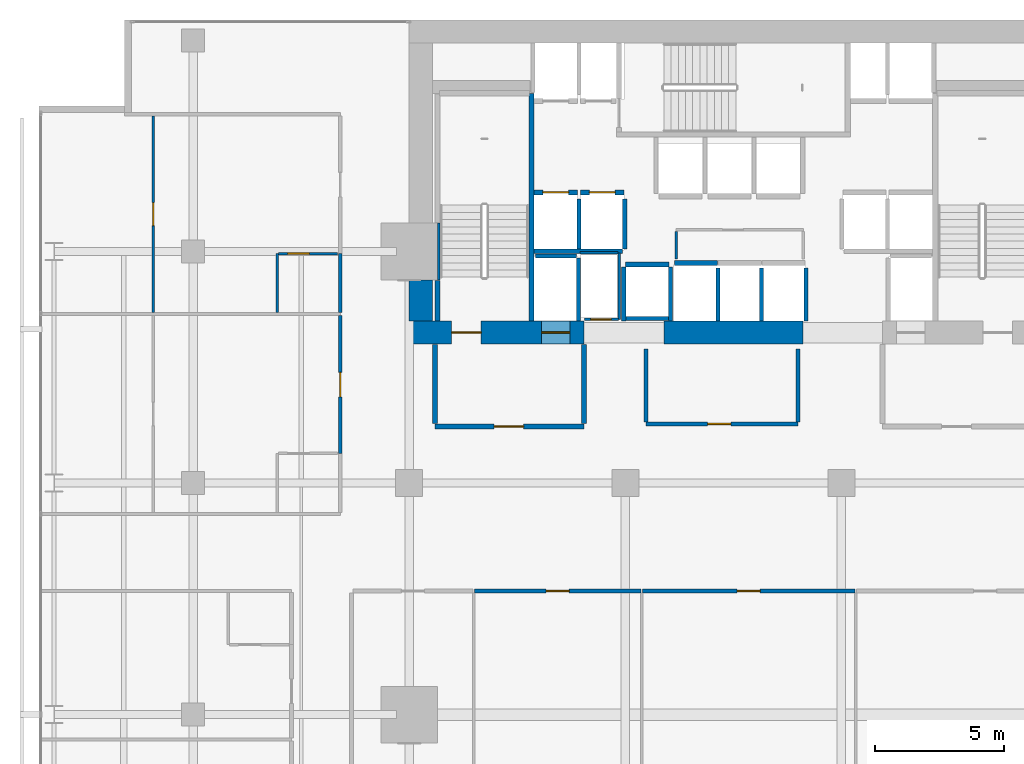
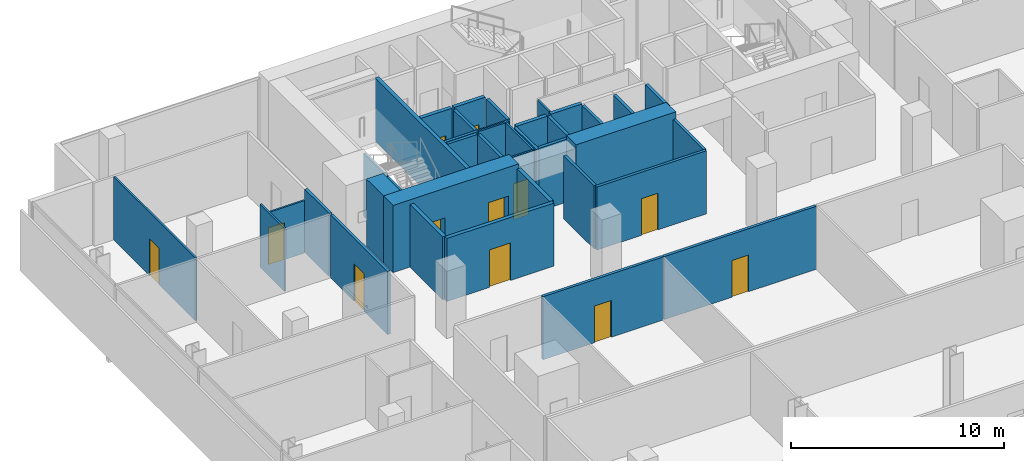
# One storey, part 35 of 40: 38 walls, 12 doors, 12 openings.
"""IFC4 building model written with IfcOpenShell, lengths in metres."""

from ifc_helpers import new_model, si_unit, direction, frame, frame_2d, origin, place, context, subcontext, project, spatial, rectangle, extrude, material, layer, layer_set, type_object, element, fill, save


model = new_model("IFC4")

# Units and contexts
model_context = context("Model", 3, precision=1e-05, world=origin(), true_north=direction((0.0, 1.0)))
body_context = subcontext(model_context, "Body", "Model", "MODEL_VIEW")
ifc_project = project(units=[si_unit("LENGTHUNIT", "METRE"), si_unit("AREAUNIT", "SQUARE_METRE"), si_unit("VOLUMEUNIT", "CUBIC_METRE"), si_unit("PLANEANGLEUNIT", "RADIAN"), si_unit("MASSUNIT", "GRAM", prefix="KILO")], contexts=[model_context])

# Site, building, storey
site_placement = place(None, origin())
site = spatial("IfcSite", under=ifc_project, at=site_placement, CompositionType="ELEMENT")
building_placement = place(site_placement, origin())
building = spatial("IfcBuilding", under=site, at=building_placement, Name="Maruvema Waterfront Hotel and Observation Tower", CompositionType="ELEMENT")
storey_placement = place(building_placement, frame((0.0, 0.0, 88.550048828125)))
storey = spatial("IfcBuildingStorey", under=building, at=storey_placement, Name="L21", CompositionType="ELEMENT", Elevation=88.550048828125)

# Wall, opening, door
ifc_material_1 = material(Name="Twin-stud acoustic gypsum drywall", Category="gypsum")
ifc_layer_1 = layer(ifc_material_1, 0.14990234375, Name="Acoustic Corridor and Suite Demising Wall 150 mm")
ifc_layer_set_1 = layer_set([ifc_layer_1], Name="Twin-stud acoustic gypsum drywall")
wall_type_1 = type_object("IfcWallType", Name="Acoustic Corridor and Suite Demising Wall 150 mm", PredefinedType="PARTITIONING", material=ifc_layer_set_1)
wall_1_placement = place(storey_placement, frame((34.39990234375, 38.300048828125, 0.0), z_axis=(0.0, 0.0, 1.0), x_axis=(1.0, 0.0, 0.0)))
wall_1 = element("IfcWall", 1, at=wall_1_placement, inside=storey, type_object=wall_type_1, Name="L21 Core Apron K0 South 013", PredefinedType="PARTITIONING", context=body_context, shape_type="SweptSolid", body=[
    extrude(rectangle(XDim=5.920166015625, YDim=0.14990234375, at=frame_2d((2.9599609375, 0.0))), origin(), (0.0, 0.0, 1.0), 3.60986328125),
])
opening_1_placement = place(wall_1_placement, frame((2.39990234375, 0.0, 0.0)))
opening_1 = element("IfcOpeningElement", 2, at=opening_1_placement, cuts=wall_1, Name="Opening DR-090", PredefinedType="OPENING", context=body_context, shape_type="SweptSolid", body=[
    extrude(rectangle(XDim=0.89990234375, YDim=2.10009765625, at=frame_2d((0.449951171875, 1.050048828125))), frame((0.0, 0.0849609375, 0.0), z_axis=(0.0, -1.0, 0.0), x_axis=(1.0, 0.0, 0.0)), (0.0, 0.0, 1.0), 0.169921875),
])
ifc_material_2 = material(Name="Solid-core lacquered timber leaf", Category="wood")
door_type_1 = type_object("IfcDoorType", Name="Accessible Toilet and Room Door 900x2100 mm", OperationType="NOTDEFINED", PredefinedType="DOOR", material=ifc_material_2)
door_1_placement = place(opening_1_placement, frame((0.89990234375, 0.0, 0.0), z_axis=(0.0, 0.0, 1.0), x_axis=(-1.0, 0.0, 0.0)))
door_1 = element("IfcDoor", 3, at=door_1_placement, inside=storey, type_object=door_type_1, Name="L21 Core Valet Room Door", OperationType="SINGLE_SWING_RIGHT", OverallHeight=2.10009765625, OverallWidth=0.89990234375, PredefinedType="DOOR", context=body_context, shape_type="SweptSolid", body=[
    extrude(rectangle(XDim=0.89990234375, YDim=2.10009765625, at=frame_2d((0.449951171875, 1.050048828125))), frame((0.0, 0.02490234375, 0.0), z_axis=(0.0, -1.0, 0.0), x_axis=(1.0, 0.0, 0.0)), (0.0, 0.0, 1.0), 0.050048828125),
])
fill(opening_1, door_1)

# Walls
for number, where, z_axis, x_axis, name in (
    (4, (34.39990234375, 38.3798828125, 0.0), (0.0, 0.0, 1.0), (0.0, 1.0, 0.0), "L21 Core Apron K0 West 014"),
    (5, (40.320068359375, 38.3798828125, 0.0), (0.0, 0.0, 1.0), (0.0, 1.0, 0.0), "L21 Core Apron K0 East 015"),
):
    element("IfcWall", number, at=place(storey_placement, frame(where, z_axis=z_axis, x_axis=x_axis)), inside=storey, type_object=wall_type_1, Name=name, PredefinedType="PARTITIONING", context=body_context, shape_type="SweptSolid", body=[
        extrude(rectangle(XDim=2.840087890625, YDim=0.14990234375, at=frame_2d((1.419921875, 0.0))), origin(), (0.0, 0.0, 1.0), 3.60986328125),
    ])

# Wall, opening, door
wall_2_placement = place(storey_placement, frame((27.73193359375, 31.800048828125, 0.0), z_axis=(0.0, 0.0, 1.0), x_axis=(1.0, 0.0, 0.0)))
wall_2 = element("IfcWall", 6, at=wall_2_placement, inside=storey, type_object=wall_type_1, Name="L21 L21-INTN Front 2 021", PredefinedType="PARTITIONING", context=body_context, shape_type="SweptSolid", body=[
    extrude(rectangle(XDim=6.47412109375, YDim=0.14990234375, at=frame_2d((3.237060546875, 0.0))), origin(), (0.0, 0.0, 1.0), 3.60986328125),
])
opening_2_placement = place(wall_2_placement, frame((2.787109375, 0.0, 0.0)))
opening_2 = element("IfcOpeningElement", 7, at=opening_2_placement, cuts=wall_2, Name="Opening DR-090", PredefinedType="OPENING", context=body_context, shape_type="SweptSolid", body=[
    extrude(rectangle(XDim=0.89990234375, YDim=2.10009765625, at=frame_2d((0.449951171875, 1.050048828125))), frame((0.0, 0.0849609375, 0.0), z_axis=(0.0, -1.0, 0.0), x_axis=(1.0, 0.0, 0.0)), (0.0, 0.0, 1.0), 0.169921875),
])
door_2_placement = place(opening_2_placement, origin())
door_2 = element("IfcDoor", 8, at=door_2_placement, inside=storey, type_object=door_type_1, Name="L21 Art Gallery Lounge 2 Door", OperationType="SINGLE_SWING_RIGHT", OverallHeight=2.10009765625, OverallWidth=0.89990234375, PredefinedType="DOOR", context=body_context, shape_type="SweptSolid", body=[
    extrude(rectangle(XDim=0.89990234375, YDim=2.10009765625, at=frame_2d((0.449951171875, 1.050048828125))), frame((0.0, 0.02490234375, 0.0), z_axis=(0.0, -1.0, 0.0), x_axis=(1.0, 0.0, 0.0)), (0.0, 0.0, 1.0), 0.050048828125),
])
fill(opening_2, door_2)

wall_3_placement = place(storey_placement, frame((34.26611328125, 31.800048828125, 0.0), z_axis=(0.0, 0.0, 1.0), x_axis=(1.0, 0.0, 0.0)))
wall_3 = element("IfcWall", 9, at=wall_3_placement, inside=storey, type_object=wall_type_1, Name="L21 L21-INTN Front 3 023", PredefinedType="PARTITIONING", context=body_context, shape_type="SweptSolid", body=[
    extrude(rectangle(XDim=8.255859375, YDim=0.14990234375, at=frame_2d((4.1279296875, 0.0))), origin(), (0.0, 0.0, 1.0), 3.60986328125),
])
opening_3_placement = place(wall_3_placement, frame((3.677978515625, 0.0, 0.0)))
opening_3 = element("IfcOpeningElement", 10, at=opening_3_placement, cuts=wall_3, Name="Opening DR-090", PredefinedType="OPENING", context=body_context, shape_type="SweptSolid", body=[
    extrude(rectangle(XDim=0.89990234375, YDim=2.10009765625, at=frame_2d((0.449951171875, 1.050048828125))), frame((0.0, 0.0849609375, 0.0), z_axis=(0.0, -1.0, 0.0), x_axis=(1.0, 0.0, 0.0)), (0.0, 0.0, 1.0), 0.169921875),
])
door_3_placement = place(opening_3_placement, origin())
door_3 = element("IfcDoor", 11, at=door_3_placement, inside=storey, type_object=door_type_1, Name="L21 Art Gallery Lounge 3 Door", OperationType="SINGLE_SWING_LEFT", OverallHeight=2.10009765625, OverallWidth=0.89990234375, PredefinedType="DOOR", context=body_context, shape_type="SweptSolid", body=[
    extrude(rectangle(XDim=0.89990234375, YDim=2.10009765625, at=frame_2d((0.449951171875, 1.050048828125))), frame((0.0, 0.02490234375, 0.0), z_axis=(0.0, -1.0, 0.0), x_axis=(1.0, 0.0, 0.0)), (0.0, 0.0, 1.0), 0.050048828125),
])
fill(opening_3, door_3)

wall_4_placement = place(storey_placement, frame((22.52001953125, 37.14990234375, 0.0), z_axis=(0.0, 0.0, 1.0), x_axis=(0.0, 1.0, 0.0)))
wall_4 = element("IfcWall", 12, at=wall_4_placement, inside=storey, type_object=wall_type_1, Name="L21 Room L21-NW1 Corridor Wall 098", PredefinedType="PARTITIONING", context=body_context, shape_type="SweptSolid", body=[
    extrude(rectangle(XDim=5.35888671875, YDim=0.14990234375, at=frame_2d((2.679443359375, 0.0))), origin(), (0.0, 0.0, 1.0), 3.60986328125),
])
opening_4_placement = place(wall_4_placement, frame((2.204345703125, 0.0, 0.0)))
opening_4 = element("IfcOpeningElement", 13, at=opening_4_placement, cuts=wall_4, Name="Opening DR-095", PredefinedType="OPENING", context=body_context, shape_type="SweptSolid", body=[
    extrude(rectangle(XDim=0.949951171875, YDim=2.14990234375, at=frame_2d((0.47509765625, 1.074951171875))), frame((0.0, 0.0849609375, 0.0), z_axis=(0.0, -1.0, 0.0), x_axis=(1.0, 0.0, 0.0)), (0.0, 0.0, 1.0), 0.169921875),
])
ifc_material_3 = material(Name="Acoustic solid-core hardwood timber leaf", Category="wood")
door_type_2 = type_object("IfcDoorType", Name="Guestroom Entrance Fire Door 950x2150 mm", OperationType="NOTDEFINED", PredefinedType="DOOR", material=ifc_material_3)
door_4_placement = place(opening_4_placement, origin())
door_4 = element("IfcDoor", 14, at=door_4_placement, inside=storey, type_object=door_type_2, Name="L21 Room L21-NW1 Entrance Door", OperationType="SINGLE_SWING_RIGHT", OverallHeight=2.14990234375, OverallWidth=0.949951171875, PredefinedType="DOOR", context=body_context, shape_type="SweptSolid", body=[
    extrude(rectangle(XDim=0.949951171875, YDim=2.14990234375, at=frame_2d((0.47509765625, 1.074951171875))), frame((0.0, 0.02490234375, 0.0), z_axis=(0.0, -1.0, 0.0), x_axis=(1.0, 0.0, 0.0)), (0.0, 0.0, 1.0), 0.050048828125),
])
fill(opening_4, door_4)

# Walls
wall_5_placement = place(storey_placement, frame((22.52001953125, 42.628662109375, 0.0), z_axis=(0.0, 0.0, 1.0), x_axis=(0.0, 1.0, 0.0)))
element("IfcWall", 15, at=wall_5_placement, inside=storey, type_object=wall_type_1, Name="L21 Bath L21-NW2 Wall 109", PredefinedType="PARTITIONING", context=body_context, shape_type="SweptSolid", body=[
    extrude(rectangle(XDim=2.2900390625, YDim=0.14990234375, at=frame_2d((1.14501953125, 0.0))), origin(), (0.0, 0.0, 1.0), 3.60986328125),
])
ifc_material_4 = material(Name="Precast concrete C45/55", Category="concrete")
ifc_layer_2 = layer(ifc_material_4, 0.199951171875, Name="Core Shaft and Stairwell Enclosure Wall 200 mm")
ifc_layer_set_2 = layer_set([ifc_layer_2], Name="Precast concrete C45/55")
wall_type_2 = type_object("IfcWallType", Name="Core Shaft and Stairwell Enclosure Wall 200 mm", PredefinedType="SOLIDWALL", material=ifc_layer_set_2)
wall_6_placement = place(storey_placement, frame((29.949951171875, 42.300048828125, 0.0), z_axis=(0.0, 0.0, 1.0), x_axis=(0.0, 1.0, 0.0)))
element("IfcWall", 16, at=wall_6_placement, inside=storey, type_object=wall_type_2, Name="L21 Stairwell ST-01 East Shaft Wall", PredefinedType="SOLIDWALL", context=body_context, shape_type="SweptSolid", body=[
    extrude(rectangle(XDim=8.849853515625, YDim=0.199951171875, at=frame_2d((4.4248046875, 0.0))), origin(), (0.0, 0.0, 1.0), 3.60986328125),
])
wall_7_placement = place(storey_placement, frame((26.300048828125, 42.300048828125, 0.0), z_axis=(0.0, 0.0, 1.0), x_axis=(0.0, 1.0, 0.0)))
element("IfcWall", 17, at=wall_7_placement, inside=storey, type_object=wall_type_2, Name="L21 Stairwell ST-01 Shaft Lining Wall", PredefinedType="SOLIDWALL", context=body_context, shape_type="SweptSolid", body=[
    extrude(rectangle(XDim=1.579833984375, YDim=0.199951171875, at=frame_2d((0.7900390625, 0.0))), origin(), (0.0, 0.0, 1.0), 3.60986328125),
])

# Wall, opening, door
wall_8_placement = place(storey_placement, frame((30.06005859375, 47.300048828125, 0.0), z_axis=(0.0, 0.0, 1.0), x_axis=(1.0, 0.0, 0.0)))
wall_8 = element("IfcWall", 18, at=wall_8_placement, inside=storey, type_object=wall_type_2, Name="L21 Lift LF-01 Hoistway Front Wall", PredefinedType="SOLIDWALL", context=body_context, shape_type="SweptSolid", body=[
    extrude(rectangle(XDim=1.679931640625, YDim=0.199951171875, at=frame_2d((0.83984375, 0.0))), origin(), (0.0, 0.0, 1.0), 3.60986328125),
])
opening_5_placement = place(wall_8_placement, frame((0.340087890625, 0.0, 0.0)))
opening_5 = element("IfcOpeningElement", 19, at=opening_5_placement, cuts=wall_8, Name="Opening LD-01", PredefinedType="OPENING", context=body_context, shape_type="SweptSolid", body=[
    extrude(rectangle(XDim=1.0, YDim=2.14990234375, at=frame_2d((0.5, 1.074951171875))), frame((0.0, 0.10986328125, 0.0), z_axis=(0.0, -1.0, 0.0), x_axis=(1.0, 0.0, 0.0)), (0.0, 0.0, 1.0), 0.219970703125),
])
ifc_material_5 = material(Name="Brushed stainless steel Grade 316", Category="steel")
door_type_3 = type_object("IfcDoorType", Name="Passenger Lift Sliding Landing Door 1000x2150 mm", OperationType="SLIDING_TO_LEFT", PredefinedType="DOOR", material=ifc_material_5)
door_5_placement = place(opening_5_placement, origin())
door_5 = element("IfcDoor", 20, at=door_5_placement, inside=storey, type_object=door_type_3, Name="L21 Lift LF-01 Sliding Landing Door", OperationType="SLIDING_TO_LEFT", OverallHeight=2.14990234375, OverallWidth=1.0, PredefinedType="DOOR", context=body_context, shape_type="SweptSolid", body=[
    extrude(rectangle(XDim=1.0, YDim=2.14990234375, at=frame_2d((0.5, 1.074951171875))), frame((0.0, 0.02490234375, 0.0), z_axis=(0.0, -1.0, 0.0), x_axis=(1.0, 0.0, 0.0)), (0.0, 0.0, 1.0), 0.050048828125),
])
fill(opening_5, door_5)

wall_9_placement = place(storey_placement, frame((31.860107421875, 47.300048828125, 0.0), z_axis=(0.0, 0.0, 1.0), x_axis=(1.0, 0.0, 0.0)))
wall_9 = element("IfcWall", 21, at=wall_9_placement, inside=storey, type_object=wall_type_2, Name="L21 Lift LF-02 Hoistway Front Wall", PredefinedType="SOLIDWALL", context=body_context, shape_type="SweptSolid", body=[
    extrude(rectangle(XDim=1.679931640625, YDim=0.199951171875, at=frame_2d((0.83984375, 0.0))), origin(), (0.0, 0.0, 1.0), 3.60986328125),
])
opening_6_placement = place(wall_9_placement, frame((0.340087890625, 0.0, 0.0)))
opening_6 = element("IfcOpeningElement", 22, at=opening_6_placement, cuts=wall_9, Name="Opening LD-01", PredefinedType="OPENING", context=body_context, shape_type="SweptSolid", body=[
    extrude(rectangle(XDim=1.0, YDim=2.14990234375, at=frame_2d((0.5, 1.074951171875))), frame((0.0, 0.10986328125, 0.0), z_axis=(0.0, -1.0, 0.0), x_axis=(1.0, 0.0, 0.0)), (0.0, 0.0, 1.0), 0.219970703125),
])
door_6_placement = place(opening_6_placement, origin())
door_6 = element("IfcDoor", 23, at=door_6_placement, inside=storey, type_object=door_type_3, Name="L21 Lift LF-02 Sliding Landing Door", OperationType="SLIDING_TO_LEFT", OverallHeight=2.14990234375, OverallWidth=1.0, PredefinedType="DOOR", context=body_context, shape_type="SweptSolid", body=[
    extrude(rectangle(XDim=1.0, YDim=2.14990234375, at=frame_2d((0.5, 1.074951171875))), frame((0.0, 0.02490234375, 0.0), z_axis=(0.0, -1.0, 0.0), x_axis=(1.0, 0.0, 0.0)), (0.0, 0.0, 1.0), 0.050048828125),
])
fill(opening_6, door_6)

# Walls
for number, where, z_axis, x_axis, name in (
    (24, (35.510009765625, 44.550048828125, 0.0), (0.0, 0.0, 1.0), (1.0, 0.0, 0.0), "L21 Lift LF-09 Hoistway Front Wall"),
    (25, (33.610107421875, 44.5, 0.0), (0.0, 0.0, 1.0), (1.0, 0.0, 0.0), "L21 Lift LF-15 Hoistway Front Wall"),
):
    element("IfcWall", number, at=place(storey_placement, frame(where, z_axis=z_axis, x_axis=x_axis)), inside=storey, type_object=wall_type_2, Name=name, PredefinedType="SOLIDWALL", context=body_context, shape_type="SweptSolid", body=[
        extrude(rectangle(XDim=1.679931640625, YDim=0.199951171875, at=frame_2d((0.83984375, 0.0))), origin(), (0.0, 0.0, 1.0), 3.60986328125),
    ])

# Wall, openings, doors
ifc_material_6 = material(Name="Concrete C80/95", Category="concrete")
ifc_layer_3 = layer(ifc_material_6, 0.89990234375, Name="Core Shear Wall 900 mm")
ifc_layer_set_3 = layer_set([ifc_layer_3], Name="Concrete C80/95")
wall_type_3 = type_object("IfcWallType", Name="Core Shear Wall 900 mm", PredefinedType="SHEAR", material=ifc_layer_set_3)
wall_10_placement = place(storey_placement, frame((25.199951171875, 41.85009765625, 0.0), z_axis=(0.0, 0.0, 1.0), x_axis=(1.0, 0.0, 0.0)))
wall_10 = element("IfcWall", 26, at=wall_10_placement, inside=storey, type_object=wall_type_3, Name="L21 South-West Core Shear Wall", PredefinedType="SHEAR", context=body_context, shape_type="SweptSolid", body=[
    extrude(rectangle(XDim=6.800048828125, YDim=0.89990234375, at=frame_2d((3.39990234375, 0.0))), origin(), (0.0, 0.0, 1.0), 3.849853515625),
])
opening_7_placement = place(wall_10_placement, frame((1.64990234375, 0.0, 0.0)))
opening_7 = element("IfcOpeningElement", 27, at=opening_7_placement, cuts=wall_10, Name="Opening SD-01", PredefinedType="OPENING", context=body_context, shape_type="SweptSolid", body=[
    extrude(rectangle(XDim=1.14990234375, YDim=2.14990234375, at=frame_2d((0.574951171875, 1.074951171875))), frame((0.0, 0.4599609375, 0.0), z_axis=(0.0, -1.0, 0.0), x_axis=(1.0, 0.0, 0.0)), (0.0, 0.0, 1.0), 0.919921875),
])
opening_8_placement = place(wall_10_placement, frame((5.14990234375, 0.0, 0.0)))
opening_8 = element("IfcOpeningElement", 28, at=opening_8_placement, cuts=wall_10, Name="Opening LD-03", PredefinedType="OPENING", context=body_context, shape_type="SweptSolid", body=[
    extrude(rectangle(XDim=1.10009765625, YDim=2.199951171875, at=frame_2d((0.550048828125, 1.10009765625))), frame((0.0, 0.4599609375, 0.0), z_axis=(0.0, -1.0, 0.0), x_axis=(1.0, 0.0, 0.0)), (0.0, 0.0, 1.0), 0.919921875),
])
ifc_material_7 = material(Name="Fire-rated galvanised steel leaf", Category="steel")
door_type_4 = type_object("IfcDoorType", Name="Exit Stair Fire Door 1150x2150 mm", OperationType="NOTDEFINED", PredefinedType="DOOR", material=ifc_material_7)
door_7_placement = place(opening_7_placement, origin())
door_7 = element("IfcDoor", 29, at=door_7_placement, inside=storey, type_object=door_type_4, Name="L21 Exit Stair ST-01 Fire Door", OperationType="SINGLE_SWING_LEFT", OverallHeight=2.14990234375, OverallWidth=1.14990234375, PredefinedType="DOOR", context=body_context, shape_type="SweptSolid", body=[
    extrude(rectangle(XDim=1.14990234375, YDim=2.14990234375, at=frame_2d((0.574951171875, 1.074951171875))), frame((0.0, 0.02490234375, 0.0), z_axis=(0.0, -1.0, 0.0), x_axis=(1.0, 0.0, 0.0)), (0.0, 0.0, 1.0), 0.050048828125),
])
fill(opening_7, door_7)
ifc_material_8 = material(Name="Brushed stainless steel Grade 316", Category="steel")
door_type_5 = type_object("IfcDoorType", Name="Firefighting Lift Sliding Landing Door 1100x2200 mm", OperationType="SLIDING_TO_LEFT", PredefinedType="DOOR", material=ifc_material_8)
door_8_placement = place(opening_8_placement, frame((1.10009765625, 0.0, 0.0), z_axis=(0.0, 0.0, 1.0), x_axis=(-1.0, 0.0, 0.0)))
door_8 = element("IfcDoor", 30, at=door_8_placement, inside=storey, type_object=door_type_5, Name="L21 Firefighting Lift FL-01 Landing Door", OperationType="SLIDING_TO_LEFT", OverallHeight=2.199951171875, OverallWidth=1.10009765625, PredefinedType="DOOR", context=body_context, shape_type="SweptSolid", body=[
    extrude(rectangle(XDim=1.10009765625, YDim=2.199951171875, at=frame_2d((0.550048828125, 1.10009765625))), frame((0.0, 0.02490234375, 0.0), z_axis=(0.0, -1.0, 0.0), x_axis=(1.0, 0.0, 0.0)), (0.0, 0.0, 1.0), 0.050048828125),
])
fill(opening_8, door_8)

# Walls
wall_11_placement = place(storey_placement, frame((35.10009765625, 41.85009765625, 0.0), z_axis=(0.0, 0.0, 1.0), x_axis=(1.0, 0.0, 0.0)))
element("IfcWall", 31, at=wall_11_placement, inside=storey, type_object=wall_type_3, Name="L21 South-Central Core Shear Wall", PredefinedType="SHEAR", context=body_context, shape_type="SweptSolid", body=[
    extrude(rectangle(XDim=5.39990234375, YDim=0.89990234375, at=frame_2d((2.699951171875, 0.0))), origin(), (0.0, 0.0, 1.0), 3.849853515625),
])
wall_12_placement = place(storey_placement, frame((25.64990234375, 42.300048828125, 0.0), z_axis=(0.0, 0.0, 1.0), x_axis=(0.0, 1.0, 0.0)))
element("IfcWall", 32, at=wall_12_placement, inside=storey, type_object=wall_type_3, Name="L21 West-South Core Shear Wall", PredefinedType="SHEAR", context=body_context, shape_type="SweptSolid", body=[
    extrude(rectangle(XDim=1.599853515625, YDim=0.89990234375, at=frame_2d((0.7998046875, 0.0))), origin(), (0.0, 0.0, 1.0), 3.849853515625),
])

# Wall, opening, door
ifc_material_9 = material(Name="Moisture-resistant cement-board drywall", Category="gypsum")
ifc_layer_4 = layer(ifc_material_9, 0.10009765625, Name="En-Suite Moisture-Resistant Partition 100 mm")
ifc_layer_set_4 = layer_set([ifc_layer_4], Name="Moisture-resistant cement-board drywall")
wall_type_4 = type_object("IfcWallType", Name="En-Suite Moisture-Resistant Partition 100 mm", PredefinedType="PARTITIONING", material=ifc_layer_set_4)
wall_13_placement = place(storey_placement, frame((32.02001953125, 42.360107421875, 0.0), z_axis=(0.0, 0.0, 1.0), x_axis=(1.0, 0.0, 0.0)))
wall_13 = element("IfcWall", 33, at=wall_13_placement, inside=storey, type_object=wall_type_4, Name="L21 Telecom Riser South Wall 007", PredefinedType="PARTITIONING", context=body_context, shape_type="SweptSolid", body=[
    extrude(rectangle(XDim=1.320068359375, YDim=0.10009765625, at=frame_2d((0.66015625, 0.0))), origin(), (0.0, 0.0, 1.0), 3.60986328125),
])
opening_9_placement = place(wall_13_placement, frame((0.239990234375, 0.0, 0.0)))
opening_9 = element("IfcOpeningElement", 34, at=opening_9_placement, cuts=wall_13, Name="Opening DR-080", PredefinedType="OPENING", context=body_context, shape_type="SweptSolid", body=[
    extrude(rectangle(XDim=0.800048828125, YDim=2.050048828125, at=frame_2d((0.39990234375, 1.02490234375))), frame((0.0, 0.06005859375, 0.0), z_axis=(0.0, -1.0, 0.0), x_axis=(1.0, 0.0, 0.0)), (0.0, 0.0, 1.0), 0.1201171875),
])
ifc_material_10 = material(Name="Powder-coated steel access leaf", Category="steel")
door_type_6 = type_object("IfcDoorType", Name="Riser and Service Cupboard Door 800x2050 mm", OperationType="NOTDEFINED", PredefinedType="DOOR", material=ifc_material_10)
door_9_placement = place(opening_9_placement, frame((0.800048828125, 0.0, 0.0), z_axis=(0.0, 0.0, 1.0), x_axis=(-1.0, 0.0, 0.0)))
door_9 = element("IfcDoor", 35, at=door_9_placement, inside=storey, type_object=door_type_6, Name="L21 Telecom Riser Door", OperationType="SINGLE_SWING_RIGHT", OverallHeight=2.050048828125, OverallWidth=0.800048828125, PredefinedType="DOOR", context=body_context, shape_type="SweptSolid", body=[
    extrude(rectangle(XDim=0.800048828125, YDim=2.050048828125, at=frame_2d((0.39990234375, 1.02490234375))), frame((0.0, 0.02490234375, 0.0), z_axis=(0.0, -1.0, 0.0), x_axis=(1.0, 0.0, 0.0)), (0.0, 0.0, 1.0), 0.050048828125),
])
fill(opening_9, door_9)

# Walls
wall_14_placement = place(storey_placement, frame((31.840087890625, 44.9599609375, 0.0), z_axis=(0.0, 0.0, 1.0), x_axis=(1.0, 0.0, 0.0)))
element("IfcWall", 36, at=wall_14_placement, inside=storey, type_object=wall_type_4, Name="L21 Telecom Riser North Wall 008", PredefinedType="PARTITIONING", context=body_context, shape_type="SweptSolid", body=[
    extrude(rectangle(XDim=1.47998046875, YDim=0.10009765625, at=frame_2d((0.739990234375, 0.0))), origin(), (0.0, 0.0, 1.0), 3.60986328125),
])
wall_15_placement = place(storey_placement, frame((33.360107421875, 42.360107421875, 0.0), z_axis=(0.0, 0.0, 1.0), x_axis=(0.0, 1.0, 0.0)))
element("IfcWall", 37, at=wall_15_placement, inside=storey, type_object=wall_type_4, Name="L21 Telecom Riser East Wall 009", PredefinedType="PARTITIONING", context=body_context, shape_type="SweptSolid", body=[
    extrude(rectangle(XDim=2.579833984375, YDim=0.10009765625, at=frame_2d((1.2900390625, 0.0))), origin(), (0.0, 0.0, 1.0), 3.60986328125),
])
wall_16_placement = place(storey_placement, frame((35.580078125, 44.699951171875, 0.0), z_axis=(0.0, 0.0, 1.0), x_axis=(0.0, 1.0, 0.0)))
element("IfcWall", 38, at=wall_16_placement, inside=storey, type_object=wall_type_4, Name="L21 Core Closet K0 West 011", PredefinedType="PARTITIONING", context=body_context, shape_type="SweptSolid", body=[
    extrude(rectangle(XDim=1.080078125, YDim=0.10009765625, at=frame_2d((0.5400390625, 0.0))), origin(), (0.0, 0.0, 1.0), 3.60986328125),
])
wall_17_placement = place(storey_placement, frame((20.070068359375, 42.628662109375, 0.0), z_axis=(0.0, 0.0, 1.0), x_axis=(0.0, 1.0, 0.0)))
element("IfcWall", 39, at=wall_17_placement, inside=storey, type_object=wall_type_4, Name="L21 En-Suite L21-NW2 W 111", PredefinedType="PARTITIONING", context=body_context, shape_type="SweptSolid", body=[
    extrude(rectangle(XDim=2.2900390625, YDim=0.10009765625, at=frame_2d((1.14501953125, 0.0))), origin(), (0.0, 0.0, 1.0), 3.60986328125),
])

# Wall, opening, door
wall_18_placement = place(storey_placement, frame((20.1201171875, 44.918701171875, 0.0), z_axis=(0.0, 0.0, 1.0), x_axis=(1.0, 0.0, 0.0)))
wall_18 = element("IfcWall", 40, at=wall_18_placement, inside=storey, type_object=wall_type_4, Name="L21 En-Suite L21-NW2 N 112", PredefinedType="PARTITIONING", context=body_context, shape_type="SweptSolid", body=[
    extrude(rectangle(XDim=2.2998046875, YDim=0.10009765625, at=frame_2d((1.14990234375, 0.0))), origin(), (0.0, 0.0, 1.0), 2.9990234375),
])
opening_10_placement = place(wall_18_placement, frame((0.35009765625, 0.0, 0.0)))
opening_10 = element("IfcOpeningElement", 41, at=opening_10_placement, cuts=wall_18, Name="Opening DR-085", PredefinedType="OPENING", context=body_context, shape_type="SweptSolid", body=[
    extrude(rectangle(XDim=0.85009765625, YDim=2.10009765625, at=frame_2d((0.425048828125, 1.050048828125))), frame((0.0, 0.06005859375, 0.0), z_axis=(0.0, -1.0, 0.0), x_axis=(1.0, 0.0, 0.0)), (0.0, 0.0, 1.0), 0.1201171875),
])
ifc_material_11 = material(Name="Moisture-resistant solid timber leaf", Category="wood")
door_type_7 = type_object("IfcDoorType", Name="En-Suite Bathroom Door 850x2100 mm", OperationType="NOTDEFINED", PredefinedType="DOOR", material=ifc_material_11)
door_10_placement = place(opening_10_placement, origin())
door_10 = element("IfcDoor", 42, at=door_10_placement, inside=storey, type_object=door_type_7, Name="L21 En-Suite L21-NW2 Door", OperationType="SINGLE_SWING_LEFT", OverallHeight=2.10009765625, OverallWidth=0.85009765625, PredefinedType="DOOR", context=body_context, shape_type="SweptSolid", body=[
    extrude(rectangle(XDim=0.85009765625, YDim=2.10009765625, at=frame_2d((0.425048828125, 1.050048828125))), frame((0.0, 0.02490234375, 0.0), z_axis=(0.0, -1.0, 0.0), x_axis=(1.0, 0.0, 0.0)), (0.0, 0.0, 1.0), 0.050048828125),
])
fill(opening_10, door_10)

wall_19_placement = place(storey_placement, frame((15.24951171875, 42.628662109375, 0.0), z_axis=(0.0, 0.0, 1.0), x_axis=(0.0, 1.0, 0.0)))
wall_19 = element("IfcWall", 43, at=wall_19_placement, inside=storey, type_object=wall_type_4, Name="L21 Suite L21-NW2 Split 113", PredefinedType="PARTITIONING", context=body_context, shape_type="SweptSolid", body=[
    extrude(rectangle(XDim=7.64892578125, YDim=0.10009765625, at=frame_2d((3.824462890625, 0.0))), origin(), (0.0, 0.0, 1.0), 3.60986328125),
])
opening_11_placement = place(wall_19_placement, frame((3.37451171875, 0.0, 0.0)))
opening_11 = element("IfcOpeningElement", 44, at=opening_11_placement, cuts=wall_19, Name="Opening DR-090", PredefinedType="OPENING", context=body_context, shape_type="SweptSolid", body=[
    extrude(rectangle(XDim=0.89990234375, YDim=2.10009765625, at=frame_2d((0.449951171875, 1.050048828125))), frame((0.0, 0.06005859375, 0.0), z_axis=(0.0, -1.0, 0.0), x_axis=(1.0, 0.0, 0.0)), (0.0, 0.0, 1.0), 0.1201171875),
])
door_11_placement = place(opening_11_placement, origin())
door_11 = element("IfcDoor", 45, at=door_11_placement, inside=storey, type_object=door_type_1, Name="L21 Suite L21-NW2 Bedroom Door", OperationType="SINGLE_SWING_LEFT", OverallHeight=2.10009765625, OverallWidth=0.89990234375, PredefinedType="DOOR", context=body_context, shape_type="SweptSolid", body=[
    extrude(rectangle(XDim=0.89990234375, YDim=2.10009765625, at=frame_2d((0.449951171875, 1.050048828125))), frame((0.0, 0.02490234375, 0.0), z_axis=(0.0, -1.0, 0.0), x_axis=(1.0, 0.0, 0.0)), (0.0, 0.0, 1.0), 0.050048828125),
])
fill(opening_11, door_11)

ifc_material_12 = material(Name="Autoclaved cellular concrete blockwork", Category="masonry")
ifc_layer_5 = layer(ifc_material_12, 0.199951171875, Name="Fire Compartment Masonry Wall 200 mm")
ifc_layer_set_5 = layer_set([ifc_layer_5], Name="Autoclaved cellular concrete blockwork")
wall_type_5 = type_object("IfcWallType", Name="Fire Compartment Masonry Wall 200 mm", PredefinedType="PARTITIONING", material=ifc_layer_set_5)
wall_20_placement = place(storey_placement, frame((26.199951171875, 38.199951171875, 0.0), z_axis=(0.0, 0.0, 1.0), x_axis=(1.0, 0.0, 0.0)))
wall_20 = element("IfcWall", 46, at=wall_20_placement, inside=storey, type_object=wall_type_5, Name="L21 FFL West South Wall 001", PredefinedType="PARTITIONING", context=body_context, shape_type="SweptSolid", body=[
    extrude(rectangle(XDim=5.800048828125, YDim=0.199951171875, at=frame_2d((2.89990234375, 0.0))), origin(), (0.0, 0.0, 1.0), 3.60986328125),
])
opening_12_placement = place(wall_20_placement, frame((2.300048828125, 0.0, 0.0)))
opening_12 = element("IfcOpeningElement", 47, at=opening_12_placement, cuts=wall_20, Name="Opening FD-115", PredefinedType="OPENING", context=body_context, shape_type="SweptSolid", body=[
    extrude(rectangle(XDim=1.14990234375, YDim=2.14990234375, at=frame_2d((0.574951171875, 1.074951171875))), frame((0.0, 0.10986328125, 0.0), z_axis=(0.0, -1.0, 0.0), x_axis=(1.0, 0.0, 0.0)), (0.0, 0.0, 1.0), 0.219970703125),
])
ifc_material_13 = material(Name="Fire-rated galvanised steel and vision glass", Category="steel")
door_type_8 = type_object("IfcDoorType", Name="Firefighting Lobby Fire Door 1150x2150 mm", OperationType="NOTDEFINED", PredefinedType="DOOR", material=ifc_material_13)
door_12_placement = place(opening_12_placement, frame((1.14990234375, 0.0, 0.0), z_axis=(0.0, 0.0, 1.0), x_axis=(-1.0, 0.0, 0.0)))
door_12 = element("IfcDoor", 48, at=door_12_placement, inside=storey, type_object=door_type_8, Name="L21 Firefighting Lobby West Door", OperationType="SINGLE_SWING_RIGHT", OverallHeight=2.14990234375, OverallWidth=1.14990234375, PredefinedType="DOOR", context=body_context, shape_type="SweptSolid", body=[
    extrude(rectangle(XDim=1.14990234375, YDim=2.14990234375, at=frame_2d((0.574951171875, 1.074951171875))), frame((0.0, 0.02490234375, 0.0), z_axis=(0.0, -1.0, 0.0), x_axis=(1.0, 0.0, 0.0)), (0.0, 0.0, 1.0), 0.050048828125),
])
fill(opening_12, door_12)

# Walls
for number, where, z_axis, x_axis, name in (
    (49, (26.199951171875, 38.31005859375, 0.0), (0.0, 0.0, 1.0), (0.0, 1.0, 0.0), "L21 FFL West West Wall 002"),
    (50, (32.0, 38.31005859375, 0.0), (0.0, 0.0, 1.0), (0.0, 1.0, 0.0), "L21 FFL West East Wall 003"),
):
    element("IfcWall", number, at=place(storey_placement, frame(where, z_axis=z_axis, x_axis=x_axis)), inside=storey, type_object=wall_type_5, Name=name, PredefinedType="PARTITIONING", context=body_context, shape_type="SweptSolid", body=[
        extrude(rectangle(XDim=3.06982421875, YDim=0.199951171875, at=frame_2d((1.534912109375, 0.0))), origin(), (0.0, 0.0, 1.0), 3.60986328125),
    ])
ifc_material_14 = material(Name="Precast concrete C45/55", Category="concrete")
ifc_layer_6 = layer(ifc_material_14, 0.159912109375, Name="Lift Hoistway Divider Wall 160 mm")
ifc_layer_set_6 = layer_set([ifc_layer_6], Name="Precast concrete C45/55")
wall_type_6 = type_object("IfcWallType", Name="Lift Hoistway Divider Wall 160 mm", PredefinedType="SOLIDWALL", material=ifc_layer_set_6)
wall_21_placement = place(storey_placement, frame((30.10009765625, 44.830078125, 0.0), z_axis=(0.0, 0.0, 1.0), x_axis=(1.0, 0.0, 0.0)))
element("IfcWall", 51, at=wall_21_placement, inside=storey, type_object=wall_type_6, Name="L21 Lift FL-01 Rear Hoistway Wall", PredefinedType="SOLIDWALL", context=body_context, shape_type="SweptSolid", body=[
    extrude(rectangle(XDim=1.599853515625, YDim=0.159912109375, at=frame_2d((0.7998046875, 0.0))), origin(), (0.0, 0.0, 1.0), 3.60986328125),
])
wall_22_placement = place(storey_placement, frame((31.780029296875, 42.300048828125, 0.0), z_axis=(0.0, 0.0, 1.0), x_axis=(0.0, 1.0, 0.0)))
element("IfcWall", 52, at=wall_22_placement, inside=storey, type_object=wall_type_6, Name="L21 Lift FL-01 Inner Hoistway Wall", PredefinedType="SOLIDWALL", context=body_context, shape_type="SweptSolid", body=[
    extrude(rectangle(XDim=2.43994140625, YDim=0.159912109375, at=frame_2d((1.219970703125, 0.0))), origin(), (0.0, 0.0, 1.0), 3.60986328125),
])
for number, where, z_axis, x_axis, name in (
    (53, (31.800048828125, 45.10009765625, 0.0), (0.0, 0.0, 1.0), (0.0, 1.0, 0.0), "L21 Hoistway Divider Wall"),
    (54, (33.580078125, 45.10009765625, 0.0), (0.0, 0.0, 1.0), (0.0, 1.0, 0.0), "L21 Hoistway Divider Wall"),
):
    element("IfcWall", number, at=place(storey_placement, frame(where, z_axis=z_axis, x_axis=x_axis)), inside=storey, type_object=wall_type_6, Name=name, PredefinedType="SOLIDWALL", context=body_context, shape_type="SweptSolid", body=[
        extrude(rectangle(XDim=1.949951171875, YDim=0.159912109375, at=frame_2d((0.97509765625, 0.0))), origin(), (0.0, 0.0, 1.0), 3.60986328125),
    ])
wall_23_placement = place(storey_placement, frame((30.050048828125, 45.010009765625, 0.0), z_axis=(0.0, 0.0, 1.0), x_axis=(1.0, 0.0, 0.0)))
element("IfcWall", 55, at=wall_23_placement, inside=storey, type_object=wall_type_6, Name="L21 Hoistway Divider Wall", PredefinedType="SOLIDWALL", context=body_context, shape_type="SweptSolid", body=[
    extrude(rectangle(XDim=3.449951171875, YDim=0.159912109375, at=frame_2d((1.72509765625, 0.0))), origin(), (0.0, 0.0, 1.0), 3.60986328125),
])
for number, where, z_axis, x_axis, name in (
    (56, (37.199951171875, 42.300048828125, 0.0), (0.0, 0.0, 1.0), (0.0, 1.0, 0.0), "L21 Hoistway Divider Wall"),
    (57, (38.89990234375, 42.300048828125, 0.0), (0.0, 0.0, 1.0), (0.0, 1.0, 0.0), "L21 Hoistway Divider Wall"),
    (58, (40.6201171875, 42.300048828125, 0.0), (0.0, 0.0, 1.0), (0.0, 1.0, 0.0), "L21 Hoistway Divider Wall"),
):
    element("IfcWall", number, at=place(storey_placement, frame(where, z_axis=z_axis, x_axis=x_axis)), inside=storey, type_object=wall_type_6, Name=name, PredefinedType="SOLIDWALL", context=body_context, shape_type="SweptSolid", body=[
        extrude(rectangle(XDim=2.050048828125, YDim=0.159912109375, at=frame_2d((1.02490234375, 0.0))), origin(), (0.0, 0.0, 1.0), 3.60986328125),
    ])
for number, where, z_axis, x_axis, name in (
    (59, (33.5400390625, 42.300048828125, 0.0), (0.0, 0.0, 1.0), (0.0, 1.0, 0.0), "L21 Hoistway Divider Wall"),
    (60, (35.360107421875, 42.300048828125, 0.0), (0.0, 0.0, 1.0), (0.0, 1.0, 0.0), "L21 Hoistway Divider Wall"),
):
    element("IfcWall", number, at=place(storey_placement, frame(where, z_axis=z_axis, x_axis=x_axis)), inside=storey, type_object=wall_type_6, Name=name, PredefinedType="SOLIDWALL", context=body_context, shape_type="SweptSolid", body=[
        extrude(rectangle(XDim=2.099853515625, YDim=0.159912109375, at=frame_2d((1.0498046875, 0.0))), origin(), (0.0, 0.0, 1.0), 3.60986328125),
    ])
wall_24_placement = place(storey_placement, frame((33.6201171875, 42.39990234375, 0.0), z_axis=(0.0, 0.0, 1.0), x_axis=(1.0, 0.0, 0.0)))
element("IfcWall", 61, at=wall_24_placement, inside=storey, type_object=wall_type_6, Name="L21 Hoistway Divider Wall", PredefinedType="SOLIDWALL", context=body_context, shape_type="SweptSolid", body=[
    extrude(rectangle(XDim=1.659912109375, YDim=0.159912109375, at=frame_2d((0.830078125, 0.0))), origin(), (0.0, 0.0, 1.0), 3.60986328125),
])
ifc_material_15 = material(Name="Precast concrete C45/55", Category="concrete")
ifc_layer_7 = layer(ifc_material_15, 0.10009765625, Name="Stairwell Stringer Cheek Wall 100 mm")
ifc_layer_set_7 = layer_set([ifc_layer_7], Name="Precast concrete C45/55")
wall_type_7 = type_object("IfcWallType", Name="Stairwell Stringer Cheek Wall 100 mm", PredefinedType="SOLIDWALL", material=ifc_layer_set_7)
wall_25_placement = place(storey_placement, frame((26.35205078125, 43.89990234375, 0.0), z_axis=(0.0, 0.0, 1.0), x_axis=(0.0, 1.0, 0.0)))
element("IfcWall", 62, at=wall_25_placement, inside=storey, type_object=wall_type_7, Name="L21 Stairwell ST-01 Mega-Column Cheek Wall", PredefinedType="SOLIDWALL", context=body_context, shape_type="SweptSolid", body=[
    extrude(rectangle(XDim=2.2001953125, YDim=0.10009765625, at=frame_2d((1.10009765625, 0.0))), origin(), (0.0, 0.0, 1.0), 3.60986328125),
])

save(model, "model.ifc")
